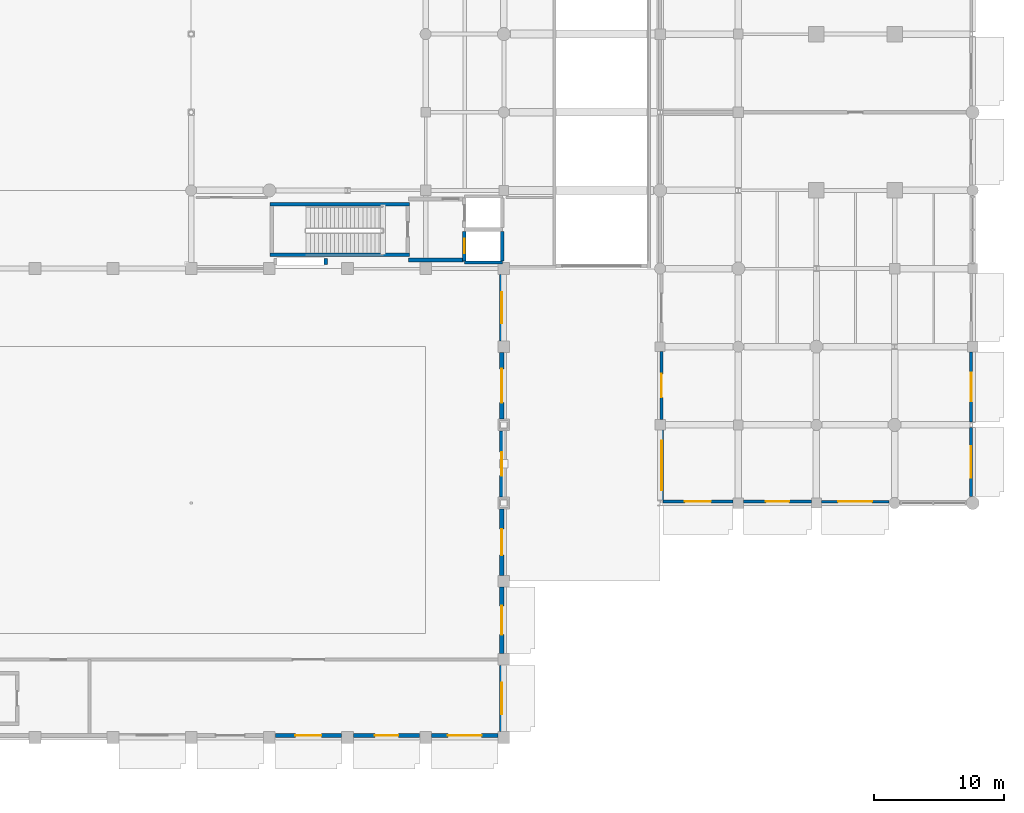
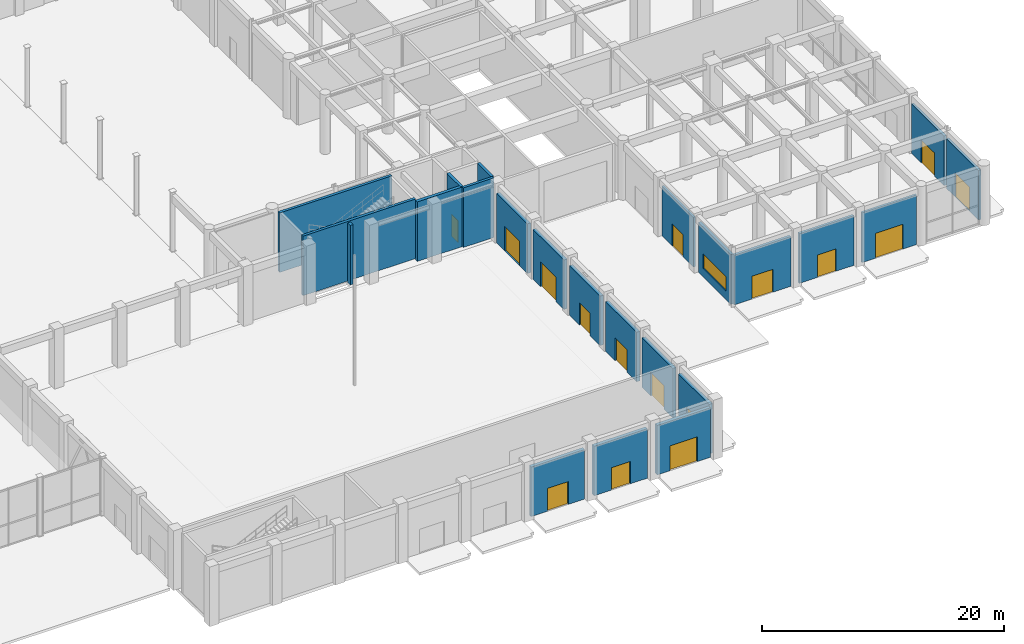
# One storey, part 87 of 106: 23 walls, 16 doors, 1 window, 17 openings.
"""IFC4 building model written with IfcOpenShell, lengths in metres."""

from ifc_helpers import new_model, si_unit, direction, frame, frame_2d, origin, place, context, subcontext, project, spatial, rectangle, extrude, material, layer, layer_set, type_object, element, fill, save


model = new_model("IFC4")

# Units and contexts
model_context = context("Model", 3, precision=1e-05, world=origin(), true_north=direction((0.0, 1.0)))
body_context = subcontext(model_context, "Body", "Model", "MODEL_VIEW")
ifc_project = project(units=[si_unit("LENGTHUNIT", "METRE"), si_unit("AREAUNIT", "SQUARE_METRE"), si_unit("VOLUMEUNIT", "CUBIC_METRE"), si_unit("PLANEANGLEUNIT", "RADIAN"), si_unit("MASSUNIT", "GRAM", prefix="KILO"), si_unit("THERMODYNAMICTEMPERATUREUNIT", "KELVIN"), si_unit("POWERUNIT", "WATT")], contexts=[model_context])

# Site, building, storey
site_placement = place(None, origin())
site = spatial("IfcSite", under=ifc_project, at=site_placement, CompositionType="ELEMENT")
building_placement = place(site_placement, origin())
building = spatial("IfcBuilding", under=site, at=building_placement, Name="Phaisarnlok Congress Hotel", CompositionType="ELEMENT")
storey_placement = place(building_placement, origin())
storey = spatial("IfcBuildingStorey", under=building, at=storey_placement, Name="L00", CompositionType="ELEMENT", Elevation=0.0)

# Wall, opening, door
ifc_material_1 = material(Name="Concrete C40/50", Category="concrete")
ifc_layer_1 = layer(ifc_material_1, 0.2099609375, Name="Concrete C40/50")
ifc_layer_set_1 = layer_set([ifc_layer_1], Name="Concrete C40/50")
wall_type_1 = type_object("IfcWallType", Name="WL-EXT-210", PredefinedType="SOLIDWALL", material=ifc_layer_set_1)
wall_1_placement = place(storey_placement, frame((156.10498046875, 29.6201171875, 0.0), z_axis=(0.0, 0.0, 1.0), x_axis=(0.0, -1.0, 0.0)))
wall_1 = element("IfcWall", 1, at=wall_1_placement, inside=storey, type_object=wall_type_1, Name="Exterior wall EW-07 (L00)", PredefinedType="SOLIDWALL", context=body_context, shape_type="SweptSolid", body=[
    extrude(rectangle(XDim=5.215087890625, YDim=0.2099609375, at=frame_2d((2.607421875, 0.0))), origin(), (0.0, 0.0, 1.0), 5.010009765625),
])
opening_1_placement = place(wall_1_placement, frame((1.70703125, 0.0, 0.0)))
opening_1 = element("IfcOpeningElement", 2, at=opening_1_placement, cuts=wall_1, Name="Opening TD-03", PredefinedType="OPENING", context=body_context, shape_type="SweptSolid", body=[
    extrude(rectangle(XDim=1.800048828125, YDim=2.25, at=frame_2d((0.89990234375, 1.125))), frame((0.0, 0.114990234375, 0.0), z_axis=(0.0, -1.0, 0.0), x_axis=(1.0, 0.0, 0.0)), (0.0, 0.0, 1.0), 0.22998046875),
])
ifc_material_2 = material(Name="Powder-Coated Steel & Laminated Safety Glass", Category="steel")
door_type_1 = type_object("IfcDoorType", Name="DR-EXIT-1800", OperationType="DOUBLE_DOOR_SINGLE_SWING", PredefinedType="DOOR", material=ifc_material_2)
door_1_placement = place(opening_1_placement, frame((1.800048828125, 0.0, 0.0), z_axis=(0.0, 0.0, 1.0), x_axis=(-1.0, 0.0, 0.0)))
door_1 = element("IfcDoor", 3, at=door_1_placement, inside=storey, type_object=door_type_1, Name="Outdoor terrace door TD-03 (L00)", OperationType="SINGLE_SWING_LEFT", OverallHeight=2.25, OverallWidth=1.800048828125, PredefinedType="DOOR", context=body_context, shape_type="SweptSolid", body=[
    extrude(rectangle(XDim=1.800048828125, YDim=2.25, at=frame_2d((0.89990234375, 1.125))), frame((0.0, 0.02490234375, 0.0), z_axis=(0.0, -1.0, 0.0), x_axis=(1.0, 0.0, 0.0)), (0.0, 0.0, 1.0), 0.050048828125),
])
fill(opening_1, door_1)

wall_2_placement = place(storey_placement, frame((168.3798828125, 18.10498046875, 0.0), z_axis=(0.0, 0.0, 1.0), x_axis=(1.0, 0.0, 0.0)))
wall_2 = element("IfcWall", 4, at=wall_2_placement, inside=storey, type_object=wall_type_1, Name="Exterior wall EW-07 (L00)", PredefinedType="SOLIDWALL", context=body_context, shape_type="SweptSolid", body=[
    extrude(rectangle(XDim=5.190185546875, YDim=0.2099609375, at=frame_2d((2.59521484375, 0.0))), origin(), (0.0, 0.0, 1.0), 5.010009765625),
])
opening_2_placement = place(wall_2_placement, frame((1.294921875, 0.0, 0.0)))
opening_2 = element("IfcOpeningElement", 5, at=opening_2_placement, cuts=wall_2, Name="Opening FE-18", PredefinedType="OPENING", context=body_context, shape_type="SweptSolid", body=[
    extrude(rectangle(XDim=2.60009765625, YDim=2.5, at=frame_2d((1.300048828125, 1.25))), frame((0.0, 0.114990234375, 0.0), z_axis=(0.0, -1.0, 0.0), x_axis=(1.0, 0.0, 0.0)), (0.0, 0.0, 1.0), 0.22998046875),
])
door_type_2 = type_object("IfcDoorType", Name="DR-ENTR-2600", OperationType="DOUBLE_DOOR_SLIDING", PredefinedType="DOOR", material=ifc_material_2)
door_2_placement = place(opening_2_placement, frame((2.60009765625, 0.0, 0.0), z_axis=(0.0, 0.0, 1.0), x_axis=(-1.0, 0.0, 0.0)))
door_2 = element("IfcDoor", 6, at=door_2_placement, inside=storey, type_object=door_type_2, Name="Ground final exit door FE-18", OperationType="SINGLE_SWING_LEFT", OverallHeight=2.5, OverallWidth=2.60009765625, PredefinedType="DOOR", context=body_context, shape_type="SweptSolid", body=[
    extrude(rectangle(XDim=2.60009765625, YDim=2.5, at=frame_2d((1.300048828125, 1.25))), frame((0.0, 0.02490234375, 0.0), z_axis=(0.0, -1.0, 0.0), x_axis=(1.0, 0.0, 0.0)), (0.0, 0.0, 1.0), 0.050048828125),
])
fill(opening_2, door_2)

ifc_layer_2 = layer(ifc_material_1, 0.22998046875, Name="Concrete C40/50")
ifc_layer_set_2 = layer_set([ifc_layer_2], Name="Concrete C40/50")
wall_type_2 = type_object("IfcWallType", Name="WL-EXT-230", PredefinedType="SOLIDWALL", material=ifc_layer_set_2)
wall_3_placement = place(storey_placement, frame((162.405029296875, 18.114990234375, 0.0), z_axis=(0.0, 0.0, 1.0), x_axis=(1.0, 0.0, 0.0)))
wall_3 = element("IfcWall", 7, at=wall_3_placement, inside=storey, type_object=wall_type_2, Name="Exterior wall EW-06 (L00)", PredefinedType="SOLIDWALL", context=body_context, shape_type="SweptSolid", body=[
    extrude(rectangle(XDim=5.215087890625, YDim=0.22998046875, at=frame_2d((2.607421875, 0.0))), origin(), (0.0, 0.0, 1.0), 5.010009765625),
])
opening_3_placement = place(wall_3_placement, frame((1.7080078125, 0.0, 0.0)))
opening_3 = element("IfcOpeningElement", 8, at=opening_3_placement, cuts=wall_3, Name="Opening FE-17", PredefinedType="OPENING", context=body_context, shape_type="SweptSolid", body=[
    extrude(rectangle(XDim=1.800048828125, YDim=2.25, at=frame_2d((0.89990234375, 1.125))), frame((0.0, 0.125, 0.0), z_axis=(0.0, -1.0, 0.0), x_axis=(1.0, 0.0, 0.0)), (0.0, 0.0, 1.0), 0.25),
])
door_3_placement = place(opening_3_placement, frame((1.800048828125, 0.0, 0.0), z_axis=(0.0, 0.0, 1.0), x_axis=(-1.0, 0.0, 0.0)))
door_3 = element("IfcDoor", 9, at=door_3_placement, inside=storey, type_object=door_type_1, Name="Ground final exit door FE-17", OperationType="SINGLE_SWING_LEFT", OverallHeight=2.25, OverallWidth=1.800048828125, PredefinedType="DOOR", context=body_context, shape_type="SweptSolid", body=[
    extrude(rectangle(XDim=1.800048828125, YDim=2.25, at=frame_2d((0.89990234375, 1.125))), frame((0.0, 0.02490234375, 0.0), z_axis=(0.0, -1.0, 0.0), x_axis=(1.0, 0.0, 0.0)), (0.0, 0.0, 1.0), 0.050048828125),
])
fill(opening_3, door_3)

wall_4_placement = place(storey_placement, frame((179.885009765625, 24.20458984375, 0.0), z_axis=(0.0, 0.0, 1.0), x_axis=(0.0, 1.0, 0.0)))
wall_4 = element("IfcWall", 10, at=wall_4_placement, inside=storey, type_object=wall_type_2, Name="Exterior wall EW-06 (L00)", PredefinedType="SOLIDWALL", context=body_context, shape_type="SweptSolid", body=[
    extrude(rectangle(XDim=5.390380859375, YDim=0.22998046875, at=frame_2d((2.6953125, 0.0))), origin(), (0.0, 0.0, 1.0), 5.010009765625),
])
opening_4_placement = place(wall_4_placement, frame((1.594970703125, 0.0, 0.0)))
opening_4 = element("IfcOpeningElement", 11, at=opening_4_placement, cuts=wall_4, Name="Opening FE-20", PredefinedType="OPENING", context=body_context, shape_type="SweptSolid", body=[
    extrude(rectangle(XDim=2.199951171875, YDim=2.35009765625, at=frame_2d((1.10009765625, 1.175048828125))), frame((0.0, 0.125, 0.0), z_axis=(0.0, -1.0, 0.0), x_axis=(1.0, 0.0, 0.0)), (0.0, 0.0, 1.0), 0.25),
])
door_type_3 = type_object("IfcDoorType", Name="DR-EXIT-2200", OperationType="DOUBLE_DOOR_SINGLE_SWING", PredefinedType="DOOR", material=ifc_material_2)
door_4_placement = place(opening_4_placement, frame((2.199951171875, 0.0, 0.0), z_axis=(0.0, 0.0, 1.0), x_axis=(-1.0, 0.0, 0.0)))
door_4 = element("IfcDoor", 12, at=door_4_placement, inside=storey, type_object=door_type_3, Name="Ground final exit door FE-20", OperationType="SINGLE_SWING_LEFT", OverallHeight=2.35009765625, OverallWidth=2.199951171875, PredefinedType="DOOR", context=body_context, shape_type="SweptSolid", body=[
    extrude(rectangle(XDim=2.199951171875, YDim=2.35009765625, at=frame_2d((1.10009765625, 1.175048828125))), frame((0.0, 0.02490234375, 0.0), z_axis=(0.0, -1.0, 0.0), x_axis=(1.0, 0.0, 0.0)), (0.0, 0.0, 1.0), 0.050048828125),
])
fill(opening_4, door_4)

ifc_layer_3 = layer(ifc_material_1, 0.25, Name="Concrete C40/50")
ifc_layer_set_3 = layer_set([ifc_layer_3], Name="Concrete C40/50")
wall_type_3 = type_object("IfcWallType", Name="WL-EXT-250", PredefinedType="SOLIDWALL", material=ifc_layer_set_3)
wall_5_placement = place(storey_placement, frame((156.20556640625, 18.125, 0.0), z_axis=(0.0, 0.0, 1.0), x_axis=(1.0, 0.0, 0.0)))
wall_5 = element("IfcWall", 13, at=wall_5_placement, inside=storey, type_object=wall_type_3, Name="Exterior wall EW-05 (L00)", PredefinedType="SOLIDWALL", context=body_context, shape_type="SweptSolid", body=[
    extrude(rectangle(XDim=5.389404296875, YDim=0.25, at=frame_2d((2.69482421875, 0.0))), origin(), (0.0, 0.0, 1.0), 5.010009765625),
])
opening_5_placement = place(wall_5_placement, frame((1.695068359375, 0.0, 0.0)))
opening_5 = element("IfcOpeningElement", 14, at=opening_5_placement, cuts=wall_5, Name="Opening FE-16", PredefinedType="OPENING", context=body_context, shape_type="SweptSolid", body=[
    extrude(rectangle(XDim=2.0, YDim=2.300048828125, at=frame_2d((1.0, 1.14990234375))), frame((0.0, 0.135009765625, 0.0), z_axis=(0.0, -1.0, 0.0), x_axis=(1.0, 0.0, 0.0)), (0.0, 0.0, 1.0), 0.27001953125),
])
door_type_4 = type_object("IfcDoorType", Name="DR-EXIT-2000", OperationType="DOUBLE_DOOR_SINGLE_SWING", PredefinedType="DOOR", material=ifc_material_2)
door_5_placement = place(opening_5_placement, frame((2.0, 0.0, 0.0), z_axis=(0.0, 0.0, 1.0), x_axis=(-1.0, 0.0, 0.0)))
door_5 = element("IfcDoor", 15, at=door_5_placement, inside=storey, type_object=door_type_4, Name="Ground final exit door FE-16", OperationType="SINGLE_SWING_LEFT", OverallHeight=2.300048828125, OverallWidth=2.0, PredefinedType="DOOR", context=body_context, shape_type="SweptSolid", body=[
    extrude(rectangle(XDim=2.0, YDim=2.300048828125, at=frame_2d((1.0, 1.14990234375))), frame((0.0, 0.02490234375, 0.0), z_axis=(0.0, -1.0, 0.0), x_axis=(1.0, 0.0, 0.0)), (0.0, 0.0, 1.0), 0.050048828125),
])
fill(opening_5, door_5)

wall_6_placement = place(storey_placement, frame((179.875, 18.5048828125, 0.0), z_axis=(0.0, 0.0, 1.0), x_axis=(0.0, 1.0, 0.0)))
wall_6 = element("IfcWall", 16, at=wall_6_placement, inside=storey, type_object=wall_type_3, Name="Exterior wall EW-05 (L00)", PredefinedType="SOLIDWALL", context=body_context, shape_type="SweptSolid", body=[
    extrude(rectangle(XDim=5.29052734375, YDim=0.25, at=frame_2d((2.645263671875, 0.0))), origin(), (0.0, 0.0, 1.0), 5.010009765625),
])
opening_6_placement = place(wall_6_placement, frame((1.445068359375, 0.0, 0.0)))
opening_6 = element("IfcOpeningElement", 17, at=opening_6_placement, cuts=wall_6, Name="Opening FE-19", PredefinedType="OPENING", context=body_context, shape_type="SweptSolid", body=[
    extrude(rectangle(XDim=2.39990234375, YDim=2.449951171875, at=frame_2d((1.199951171875, 1.22509765625))), frame((0.0, 0.135009765625, 0.0), z_axis=(0.0, -1.0, 0.0), x_axis=(1.0, 0.0, 0.0)), (0.0, 0.0, 1.0), 0.27001953125),
])
door_type_5 = type_object("IfcDoorType", Name="DR-ENTR-2400", OperationType="DOUBLE_DOOR_SLIDING", PredefinedType="DOOR", material=ifc_material_2)
door_6_placement = place(opening_6_placement, frame((2.39990234375, 0.0, 0.0), z_axis=(0.0, 0.0, 1.0), x_axis=(-1.0, 0.0, 0.0)))
door_6 = element("IfcDoor", 18, at=door_6_placement, inside=storey, type_object=door_type_5, Name="Ground final exit door FE-19", OperationType="SINGLE_SWING_LEFT", OverallHeight=2.449951171875, OverallWidth=2.39990234375, PredefinedType="DOOR", context=body_context, shape_type="SweptSolid", body=[
    extrude(rectangle(XDim=2.39990234375, YDim=2.449951171875, at=frame_2d((1.199951171875, 1.22509765625))), frame((0.0, 0.02490234375, 0.0), z_axis=(0.0, -1.0, 0.0), x_axis=(1.0, 0.0, 0.0)), (0.0, 0.0, 1.0), 0.050048828125),
])
fill(opening_6, door_6)

# Wall, opening, window
ifc_layer_4 = layer(ifc_material_1, 0.27001953125, Name="Concrete C40/50")
ifc_layer_set_4 = layer_set([ifc_layer_4], Name="Concrete C40/50")
wall_type_4 = type_object("IfcWallType", Name="WL-EXT-270", PredefinedType="SOLIDWALL", material=ifc_layer_set_4)
wall_7_placement = place(storey_placement, frame((156.135009765625, 23.594970703125, 0.0), z_axis=(0.0, 0.0, 1.0), x_axis=(0.0, -1.0, 0.0)))
wall_7 = element("IfcWall", 19, at=wall_7_placement, inside=storey, type_object=wall_type_4, Name="Exterior wall EW-04 (L00)", PredefinedType="SOLIDWALL", context=body_context, shape_type="SweptSolid", body=[
    extrude(rectangle(XDim=5.390380859375, YDim=0.27001953125, at=frame_2d((2.6953125, 0.0))), origin(), (0.0, 0.0, 1.0), 5.010009765625),
])
opening_7_placement = place(wall_7_placement, frame((0.794921875, 0.0, 0.85009765625)))
opening_7 = element("IfcOpeningElement", 20, at=opening_7_placement, cuts=wall_7, Name="Opening W-17", PredefinedType="OPENING", context=body_context, shape_type="SweptSolid", body=[
    extrude(rectangle(XDim=3.800048828125, YDim=1.449951171875, at=frame_2d((1.89990234375, 0.72509765625))), frame((0.0, 0.14501953125, 0.0), z_axis=(0.0, -1.0, 0.0), x_axis=(1.0, 0.0, 0.0)), (0.0, 0.0, 1.0), 0.2900390625),
])
ifc_material_3 = material(Name="Thermally Broken Aluminium & Low-E Double Glazing", Category="aluminium")
window_type = type_object("IfcWindowType", Name="WIN-RIB-3800", PartitioningType="SINGLE_PANEL", PredefinedType="WINDOW", material=ifc_material_3)
window_placement = place(opening_7_placement, origin())
window = element("IfcWindow", 21, at=window_placement, inside=storey, type_object=window_type, Name="Podium window W-17 (L00)", OverallHeight=1.449951171875, OverallWidth=3.800048828125, PartitioningType="SINGLE_PANEL", PredefinedType="WINDOW", context=body_context, shape_type="SweptSolid", body=[
    extrude(rectangle(XDim=3.800048828125, YDim=1.449951171875, at=frame_2d((1.89990234375, 0.72509765625))), frame((0.0, 0.030029296875, 0.0), z_axis=(0.0, -1.0, 0.0), x_axis=(1.0, 0.0, 0.0)), (0.0, 0.0, 1.0), 0.06005859375),
])
fill(opening_7, window)

# Wall, opening, door
ifc_layer_5 = layer(ifc_material_1, 0.320068359375, Name="Concrete C40/50")
ifc_layer_set_5 = layer_set([ifc_layer_5], Name="Concrete C40/50")
wall_type_5 = type_object("IfcWallType", Name="WL-EXT-320", PredefinedType="SOLIDWALL", material=ifc_layer_set_5)
wall_8_placement = place(storey_placement, frame((126.455078125, 0.159912109375, 0.0), z_axis=(0.0, 0.0, 1.0), x_axis=(1.0, 0.0, 0.0)))
wall_8 = element("IfcWall", 22, at=wall_8_placement, inside=storey, type_object=wall_type_5, Name="Exterior wall EW-02 (L00)", PredefinedType="SOLIDWALL", context=body_context, shape_type="SweptSolid", body=[
    extrude(rectangle(XDim=5.08984375, YDim=0.320068359375, at=frame_2d((2.544921875, 0.0))), origin(), (0.0, 0.0, 1.0), 4.989990234375),
])
opening_8_placement = place(wall_8_placement, frame((1.544921875, 0.0, 0.0)))
opening_8 = element("IfcOpeningElement", 23, at=opening_8_placement, cuts=wall_8, Name="Opening FE-06", PredefinedType="OPENING", context=body_context, shape_type="SweptSolid", body=[
    extrude(rectangle(XDim=2.0, YDim=2.300048828125, at=frame_2d((1.0, 1.14990234375))), frame((0.0, 0.169921875, 0.0), z_axis=(0.0, -1.0, 0.0), x_axis=(1.0, 0.0, 0.0)), (0.0, 0.0, 1.0), 0.340087890625),
])
door_7_placement = place(opening_8_placement, frame((2.0, 0.0, 0.0), z_axis=(0.0, 0.0, 1.0), x_axis=(-1.0, 0.0, 0.0)))
door_7 = element("IfcDoor", 24, at=door_7_placement, inside=storey, type_object=door_type_4, Name="Ground final exit door FE-06", OperationType="SINGLE_SWING_LEFT", OverallHeight=2.300048828125, OverallWidth=2.0, PredefinedType="DOOR", context=body_context, shape_type="SweptSolid", body=[
    extrude(rectangle(XDim=2.0, YDim=2.300048828125, at=frame_2d((1.0, 1.14990234375))), frame((0.0, 0.02490234375, 0.0), z_axis=(0.0, -1.0, 0.0), x_axis=(1.0, 0.0, 0.0)), (0.0, 0.0, 1.0), 0.050048828125),
])
fill(opening_8, door_7)

wall_9_placement = place(storey_placement, frame((132.455078125, 0.159912109375, 0.0), z_axis=(0.0, 0.0, 1.0), x_axis=(1.0, 0.0, 0.0)))
wall_9 = element("IfcWall", 25, at=wall_9_placement, inside=storey, type_object=wall_type_5, Name="Exterior wall EW-02 (L00)", PredefinedType="SOLIDWALL", context=body_context, shape_type="SweptSolid", body=[
    extrude(rectangle(XDim=5.08984375, YDim=0.320068359375, at=frame_2d((2.544921875, 0.0))), origin(), (0.0, 0.0, 1.0), 4.989990234375),
])
opening_9_placement = place(wall_9_placement, frame((1.64501953125, 0.0, 0.0)))
opening_9 = element("IfcOpeningElement", 26, at=opening_9_placement, cuts=wall_9, Name="Opening FE-07", PredefinedType="OPENING", context=body_context, shape_type="SweptSolid", body=[
    extrude(rectangle(XDim=1.800048828125, YDim=2.25, at=frame_2d((0.89990234375, 1.125))), frame((0.0, 0.169921875, 0.0), z_axis=(0.0, -1.0, 0.0), x_axis=(1.0, 0.0, 0.0)), (0.0, 0.0, 1.0), 0.340087890625),
])
door_8_placement = place(opening_9_placement, frame((1.800048828125, 0.0, 0.0), z_axis=(0.0, 0.0, 1.0), x_axis=(-1.0, 0.0, 0.0)))
door_8 = element("IfcDoor", 27, at=door_8_placement, inside=storey, type_object=door_type_1, Name="Ground final exit door FE-07", OperationType="SINGLE_SWING_LEFT", OverallHeight=2.25, OverallWidth=1.800048828125, PredefinedType="DOOR", context=body_context, shape_type="SweptSolid", body=[
    extrude(rectangle(XDim=1.800048828125, YDim=2.25, at=frame_2d((0.89990234375, 1.125))), frame((0.0, 0.02490234375, 0.0), z_axis=(0.0, -1.0, 0.0), x_axis=(1.0, 0.0, 0.0)), (0.0, 0.0, 1.0), 0.050048828125),
])
fill(opening_9, door_8)

wall_10_placement = place(storey_placement, frame((138.455078125, 0.159912109375, 0.0), z_axis=(0.0, 0.0, 1.0), x_axis=(1.0, 0.0, 0.0)))
wall_10 = element("IfcWall", 28, at=wall_10_placement, inside=storey, type_object=wall_type_5, Name="Exterior wall EW-02 (L00)", PredefinedType="SOLIDWALL", context=body_context, shape_type="SweptSolid", body=[
    extrude(rectangle(XDim=5.08984375, YDim=0.320068359375, at=frame_2d((2.544921875, 0.0))), origin(), (0.0, 0.0, 1.0), 4.989990234375),
])
opening_10_placement = place(wall_10_placement, frame((1.2451171875, 0.0, 0.0)))
opening_10 = element("IfcOpeningElement", 29, at=opening_10_placement, cuts=wall_10, Name="Opening FE-08", PredefinedType="OPENING", context=body_context, shape_type="SweptSolid", body=[
    extrude(rectangle(XDim=2.60009765625, YDim=2.5, at=frame_2d((1.300048828125, 1.25))), frame((0.0, 0.169921875, 0.0), z_axis=(0.0, -1.0, 0.0), x_axis=(1.0, 0.0, 0.0)), (0.0, 0.0, 1.0), 0.340087890625),
])
door_9_placement = place(opening_10_placement, frame((2.60009765625, 0.0, 0.0), z_axis=(0.0, 0.0, 1.0), x_axis=(-1.0, 0.0, 0.0)))
door_9 = element("IfcDoor", 30, at=door_9_placement, inside=storey, type_object=door_type_2, Name="Ground final exit door FE-08", OperationType="SINGLE_SWING_LEFT", OverallHeight=2.5, OverallWidth=2.60009765625, PredefinedType="DOOR", context=body_context, shape_type="SweptSolid", body=[
    extrude(rectangle(XDim=2.60009765625, YDim=2.5, at=frame_2d((1.300048828125, 1.25))), frame((0.0, 0.02490234375, 0.0), z_axis=(0.0, -1.0, 0.0), x_axis=(1.0, 0.0, 0.0)), (0.0, 0.0, 1.0), 0.050048828125),
])
fill(opening_10, door_9)

wall_11_placement = place(storey_placement, frame((143.840087890625, 0.455078125, 0.0), z_axis=(0.0, 0.0, 1.0), x_axis=(0.0, 1.0, 0.0)))
wall_11 = element("IfcWall", 31, at=wall_11_placement, inside=storey, type_object=wall_type_5, Name="Exterior wall EW-02 (L00)", PredefinedType="SOLIDWALL", context=body_context, shape_type="SweptSolid", body=[
    extrude(rectangle(XDim=5.08984375, YDim=0.320068359375, at=frame_2d((2.544921875, 0.0))), origin(), (0.0, 0.0, 1.0), 4.989990234375),
])
opening_11_placement = place(wall_11_placement, frame((1.344970703125, 0.0, 0.0)))
opening_11 = element("IfcOpeningElement", 32, at=opening_11_placement, cuts=wall_11, Name="Opening FE-09", PredefinedType="OPENING", context=body_context, shape_type="SweptSolid", body=[
    extrude(rectangle(XDim=2.39990234375, YDim=2.449951171875, at=frame_2d((1.199951171875, 1.22509765625))), frame((0.0, 0.169921875, 0.0), z_axis=(0.0, -1.0, 0.0), x_axis=(1.0, 0.0, 0.0)), (0.0, 0.0, 1.0), 0.340087890625),
])
door_10_placement = place(opening_11_placement, frame((2.39990234375, 0.0, 0.0), z_axis=(0.0, 0.0, 1.0), x_axis=(-1.0, 0.0, 0.0)))
door_10 = element("IfcDoor", 33, at=door_10_placement, inside=storey, type_object=door_type_5, Name="Ground final exit door FE-09", OperationType="SINGLE_SWING_LEFT", OverallHeight=2.449951171875, OverallWidth=2.39990234375, PredefinedType="DOOR", context=body_context, shape_type="SweptSolid", body=[
    extrude(rectangle(XDim=2.39990234375, YDim=2.449951171875, at=frame_2d((1.199951171875, 1.22509765625))), frame((0.0, 0.02490234375, 0.0), z_axis=(0.0, -1.0, 0.0), x_axis=(1.0, 0.0, 0.0)), (0.0, 0.0, 1.0), 0.050048828125),
])
fill(opening_11, door_10)

wall_12_placement = place(storey_placement, frame((143.840087890625, 6.455078125, 0.0), z_axis=(0.0, 0.0, 1.0), x_axis=(0.0, 1.0, 0.0)))
wall_12 = element("IfcWall", 34, at=wall_12_placement, inside=storey, type_object=wall_type_5, Name="Exterior wall EW-02 (L00)", PredefinedType="SOLIDWALL", context=body_context, shape_type="SweptSolid", body=[
    extrude(rectangle(XDim=5.08984375, YDim=0.320068359375, at=frame_2d((2.544921875, 0.0))), origin(), (0.0, 0.0, 1.0), 4.989990234375),
])
opening_12_placement = place(wall_12_placement, frame((1.445068359375, 0.0, 0.0)))
opening_12 = element("IfcOpeningElement", 35, at=opening_12_placement, cuts=wall_12, Name="Opening FE-10", PredefinedType="OPENING", context=body_context, shape_type="SweptSolid", body=[
    extrude(rectangle(XDim=2.199951171875, YDim=2.35009765625, at=frame_2d((1.10009765625, 1.175048828125))), frame((0.0, 0.169921875, 0.0), z_axis=(0.0, -1.0, 0.0), x_axis=(1.0, 0.0, 0.0)), (0.0, 0.0, 1.0), 0.340087890625),
])
door_11_placement = place(opening_12_placement, frame((2.199951171875, 0.0, 0.0), z_axis=(0.0, 0.0, 1.0), x_axis=(-1.0, 0.0, 0.0)))
door_11 = element("IfcDoor", 36, at=door_11_placement, inside=storey, type_object=door_type_3, Name="Ground final exit door FE-10", OperationType="SINGLE_SWING_LEFT", OverallHeight=2.35009765625, OverallWidth=2.199951171875, PredefinedType="DOOR", context=body_context, shape_type="SweptSolid", body=[
    extrude(rectangle(XDim=2.199951171875, YDim=2.35009765625, at=frame_2d((1.10009765625, 1.175048828125))), frame((0.0, 0.02490234375, 0.0), z_axis=(0.0, -1.0, 0.0), x_axis=(1.0, 0.0, 0.0)), (0.0, 0.0, 1.0), 0.050048828125),
])
fill(opening_12, door_11)

wall_13_placement = place(storey_placement, frame((143.840087890625, 12.455078125, 0.0), z_axis=(0.0, 0.0, 1.0), x_axis=(0.0, 1.0, 0.0)))
wall_13 = element("IfcWall", 37, at=wall_13_placement, inside=storey, type_object=wall_type_5, Name="Exterior wall EW-02 (L00)", PredefinedType="SOLIDWALL", context=body_context, shape_type="SweptSolid", body=[
    extrude(rectangle(XDim=5.08984375, YDim=0.320068359375, at=frame_2d((2.544921875, 0.0))), origin(), (0.0, 0.0, 1.0), 4.989990234375),
])
opening_13_placement = place(wall_13_placement, frame((1.544921875, 0.0, 0.0)))
opening_13 = element("IfcOpeningElement", 38, at=opening_13_placement, cuts=wall_13, Name="Opening FE-11", PredefinedType="OPENING", context=body_context, shape_type="SweptSolid", body=[
    extrude(rectangle(XDim=2.0, YDim=2.300048828125, at=frame_2d((1.0, 1.14990234375))), frame((0.0, 0.169921875, 0.0), z_axis=(0.0, -1.0, 0.0), x_axis=(1.0, 0.0, 0.0)), (0.0, 0.0, 1.0), 0.340087890625),
])
door_12_placement = place(opening_13_placement, frame((2.0, 0.0, 0.0), z_axis=(0.0, 0.0, 1.0), x_axis=(-1.0, 0.0, 0.0)))
door_12 = element("IfcDoor", 39, at=door_12_placement, inside=storey, type_object=door_type_4, Name="Ground final exit door FE-11", OperationType="SINGLE_SWING_LEFT", OverallHeight=2.300048828125, OverallWidth=2.0, PredefinedType="DOOR", context=body_context, shape_type="SweptSolid", body=[
    extrude(rectangle(XDim=2.0, YDim=2.300048828125, at=frame_2d((1.0, 1.14990234375))), frame((0.0, 0.02490234375, 0.0), z_axis=(0.0, -1.0, 0.0), x_axis=(1.0, 0.0, 0.0)), (0.0, 0.0, 1.0), 0.050048828125),
])
fill(opening_13, door_12)

wall_14_placement = place(storey_placement, frame((143.840087890625, 18.455078125, 0.0), z_axis=(0.0, 0.0, 1.0), x_axis=(0.0, 1.0, 0.0)))
wall_14 = element("IfcWall", 40, at=wall_14_placement, inside=storey, type_object=wall_type_5, Name="Exterior wall EW-02 (L00)", PredefinedType="SOLIDWALL", context=body_context, shape_type="SweptSolid", body=[
    extrude(rectangle(XDim=5.08984375, YDim=0.320068359375, at=frame_2d((2.544921875, 0.0))), origin(), (0.0, 0.0, 1.0), 4.989990234375),
])
opening_14_placement = place(wall_14_placement, frame((1.64501953125, 0.0, 0.0)))
opening_14 = element("IfcOpeningElement", 41, at=opening_14_placement, cuts=wall_14, Name="Opening FE-12", PredefinedType="OPENING", context=body_context, shape_type="SweptSolid", body=[
    extrude(rectangle(XDim=1.800048828125, YDim=2.25, at=frame_2d((0.89990234375, 1.125))), frame((0.0, 0.169921875, 0.0), z_axis=(0.0, -1.0, 0.0), x_axis=(1.0, 0.0, 0.0)), (0.0, 0.0, 1.0), 0.340087890625),
])
door_13_placement = place(opening_14_placement, frame((1.800048828125, 0.0, 0.0), z_axis=(0.0, 0.0, 1.0), x_axis=(-1.0, 0.0, 0.0)))
door_13 = element("IfcDoor", 42, at=door_13_placement, inside=storey, type_object=door_type_1, Name="Ground final exit door FE-12", OperationType="SINGLE_SWING_LEFT", OverallHeight=2.25, OverallWidth=1.800048828125, PredefinedType="DOOR", context=body_context, shape_type="SweptSolid", body=[
    extrude(rectangle(XDim=1.800048828125, YDim=2.25, at=frame_2d((0.89990234375, 1.125))), frame((0.0, 0.02490234375, 0.0), z_axis=(0.0, -1.0, 0.0), x_axis=(1.0, 0.0, 0.0)), (0.0, 0.0, 1.0), 0.050048828125),
])
fill(opening_14, door_13)

wall_15_placement = place(storey_placement, frame((143.840087890625, 24.455078125, 0.0), z_axis=(0.0, 0.0, 1.0), x_axis=(0.0, 1.0, 0.0)))
wall_15 = element("IfcWall", 43, at=wall_15_placement, inside=storey, type_object=wall_type_5, Name="Exterior wall EW-02 (L00)", PredefinedType="SOLIDWALL", context=body_context, shape_type="SweptSolid", body=[
    extrude(rectangle(XDim=5.08984375, YDim=0.320068359375, at=frame_2d((2.544921875, 0.0))), origin(), (0.0, 0.0, 1.0), 4.989990234375),
])
opening_15_placement = place(wall_15_placement, frame((1.2451171875, 0.0, 0.0)))
opening_15 = element("IfcOpeningElement", 44, at=opening_15_placement, cuts=wall_15, Name="Opening FE-13", PredefinedType="OPENING", context=body_context, shape_type="SweptSolid", body=[
    extrude(rectangle(XDim=2.60009765625, YDim=2.5, at=frame_2d((1.300048828125, 1.25))), frame((0.0, 0.169921875, 0.0), z_axis=(0.0, -1.0, 0.0), x_axis=(1.0, 0.0, 0.0)), (0.0, 0.0, 1.0), 0.340087890625),
])
door_14_placement = place(opening_15_placement, frame((2.60009765625, 0.0, 0.0), z_axis=(0.0, 0.0, 1.0), x_axis=(-1.0, 0.0, 0.0)))
door_14 = element("IfcDoor", 45, at=door_14_placement, inside=storey, type_object=door_type_2, Name="Ground final exit door FE-13", OperationType="SINGLE_SWING_LEFT", OverallHeight=2.5, OverallWidth=2.60009765625, PredefinedType="DOOR", context=body_context, shape_type="SweptSolid", body=[
    extrude(rectangle(XDim=2.60009765625, YDim=2.5, at=frame_2d((1.300048828125, 1.25))), frame((0.0, 0.02490234375, 0.0), z_axis=(0.0, -1.0, 0.0), x_axis=(1.0, 0.0, 0.0)), (0.0, 0.0, 1.0), 0.050048828125),
])
fill(opening_15, door_14)

wall_16_placement = place(storey_placement, frame((143.840087890625, 30.455078125, 0.0), z_axis=(0.0, 0.0, 1.0), x_axis=(0.0, 1.0, 0.0)))
wall_16 = element("IfcWall", 46, at=wall_16_placement, inside=storey, type_object=wall_type_5, Name="Exterior wall EW-02 (L00)", PredefinedType="SOLIDWALL", context=body_context, shape_type="SweptSolid", body=[
    extrude(rectangle(XDim=5.08984375, YDim=0.320068359375, at=frame_2d((2.544921875, 0.0))), origin(), (0.0, 0.0, 1.0), 4.989990234375),
])
opening_16_placement = place(wall_16_placement, frame((1.344970703125, 0.0, 0.0)))
opening_16 = element("IfcOpeningElement", 47, at=opening_16_placement, cuts=wall_16, Name="Opening FE-14", PredefinedType="OPENING", context=body_context, shape_type="SweptSolid", body=[
    extrude(rectangle(XDim=2.39990234375, YDim=2.449951171875, at=frame_2d((1.199951171875, 1.22509765625))), frame((0.0, 0.169921875, 0.0), z_axis=(0.0, -1.0, 0.0), x_axis=(1.0, 0.0, 0.0)), (0.0, 0.0, 1.0), 0.340087890625),
])
door_15_placement = place(opening_16_placement, frame((2.39990234375, 0.0, 0.0), z_axis=(0.0, 0.0, 1.0), x_axis=(-1.0, 0.0, 0.0)))
door_15 = element("IfcDoor", 48, at=door_15_placement, inside=storey, type_object=door_type_5, Name="Ground final exit door FE-14", OperationType="SINGLE_SWING_LEFT", OverallHeight=2.449951171875, OverallWidth=2.39990234375, PredefinedType="DOOR", context=body_context, shape_type="SweptSolid", body=[
    extrude(rectangle(XDim=2.39990234375, YDim=2.449951171875, at=frame_2d((1.199951171875, 1.22509765625))), frame((0.0, 0.02490234375, 0.0), z_axis=(0.0, -1.0, 0.0), x_axis=(1.0, 0.0, 0.0)), (0.0, 0.0, 1.0), 0.050048828125),
])
fill(opening_16, door_15)

# Walls
ifc_material_4 = material(Name="Concrete C50/60", Category="concrete")
ifc_layer_6 = layer(ifc_material_4, 0.260009765625, Name="Concrete C50/60")
ifc_layer_set_6 = layer_set([ifc_layer_6], Name="Concrete C50/60")
wall_type_6 = type_object("IfcWallType", Name="WL-SHR-260", PredefinedType="SHEAR", material=ifc_layer_set_6)
for number, where, z_axis, x_axis, name in (
    (49, (126.0400390625, 37.070068359375, 0.0), (0.0, 0.0, 1.0), (1.0, 0.0, 0.0), "Stair shaft shear wall SW-04 (CORE-6 L00)"),
    (50, (126.0400390625, 40.929931640625, 0.0), (0.0, 0.0, 1.0), (1.0, 0.0, 0.0), "Stair shaft shear wall SW-04 (CORE-6 L00)"),
):
    element("IfcWall", number, at=place(storey_placement, frame(where, z_axis=z_axis, x_axis=x_axis)), inside=storey, type_object=wall_type_6, Name=name, PredefinedType="SHEAR", context=body_context, shape_type="SweptSolid", body=[
        extrude(rectangle(XDim=10.719970703125, YDim=0.260009765625, at=frame_2d((5.35986328125, 0.0))), origin(), (0.0, 0.0, 1.0), 6.0),
    ])
wall_17_placement = place(storey_placement, frame((140.969970703125, 36.469970703125, 0.0), z_axis=(0.0, 0.0, 1.0), x_axis=(1.0, 0.0, 0.0)))
element("IfcWall", 51, at=wall_17_placement, inside=storey, type_object=wall_type_6, Name="Lift shaft shear wall SW-04 (LF-CP2 L00)", PredefinedType="SHEAR", context=body_context, shape_type="SweptSolid", body=[
    extrude(rectangle(XDim=2.909912109375, YDim=0.260009765625, at=frame_2d((1.455078125, 0.0))), origin(), (0.0, 0.0, 1.0), 6.0),
])
wall_18_placement = place(storey_placement, frame((143.8798828125, 36.60009765625, 0.0), z_axis=(0.0, 0.0, 1.0), x_axis=(0.0, 1.0, 0.0)))
element("IfcWall", 52, at=wall_18_placement, inside=storey, type_object=wall_type_6, Name="Lift shaft shear wall SW-04 (LF-CP2 L00)", PredefinedType="SHEAR", context=body_context, shape_type="SweptSolid", body=[
    extrude(rectangle(XDim=2.25, YDim=0.260009765625, at=frame_2d((1.125, 0.0))), origin(), (0.0, 0.0, 1.0), 6.0),
])

# Wall, opening, door
wall_19_placement = place(storey_placement, frame((140.969970703125, 36.60009765625, 0.0), z_axis=(0.0, 0.0, 1.0), x_axis=(0.0, 1.0, 0.0)))
wall_19 = element("IfcWall", 53, at=wall_19_placement, inside=storey, type_object=wall_type_6, Name="Lift shaft front wall SW-04 (LF-CP2 L00)", PredefinedType="SHEAR", context=body_context, shape_type="SweptSolid", body=[
    extrude(rectangle(XDim=2.25, YDim=0.260009765625, at=frame_2d((1.125, 0.0))), origin(), (0.0, 0.0, 1.0), 6.0),
])
opening_17_placement = place(wall_19_placement, frame((0.574951171875, 0.0, 0.0)))
opening_17 = element("IfcOpeningElement", 54, at=opening_17_placement, cuts=wall_19, Name="Opening LD-119", PredefinedType="OPENING", context=body_context, shape_type="SweptSolid", body=[
    extrude(rectangle(XDim=1.10009765625, YDim=2.199951171875, at=frame_2d((0.550048828125, 1.10009765625))), frame((0.0, 0.14013671875, 0.0), z_axis=(0.0, -1.0, 0.0), x_axis=(1.0, 0.0, 0.0)), (0.0, 0.0, 1.0), 0.280029296875),
])
ifc_material_5 = material(Name="Brushed Stainless Steel Grade 304", Category="steel")
door_type_6 = type_object("IfcDoorType", Name="DR-LD-1100", OperationType="DOUBLE_DOOR_SLIDING", PredefinedType="DOOR", material=ifc_material_5)
door_16_placement = place(opening_17_placement, origin())
door_16 = element("IfcDoor", 55, at=door_16_placement, inside=storey, type_object=door_type_6, Name="Lift landing sliding door LD-119 (LF-CP2 L00)", OperationType="DOUBLE_DOOR_SLIDING", OverallHeight=2.199951171875, OverallWidth=1.10009765625, PredefinedType="DOOR", context=body_context, shape_type="SweptSolid", body=[
    extrude(rectangle(XDim=1.10009765625, YDim=2.199951171875, at=frame_2d((0.550048828125, 1.10009765625))), frame((0.0, 0.02490234375, 0.0), z_axis=(0.0, -1.0, 0.0), x_axis=(1.0, 0.0, 0.0)), (0.0, 0.0, 1.0), 0.050048828125),
])
fill(opening_17, door_16)

# Walls
wall_20_placement = place(storey_placement, frame((130.330078125, 36.330078125, 0.0), z_axis=(0.0, 0.0, 1.0), x_axis=(0.0, 1.0, 0.0)))
element("IfcWall", 56, at=wall_20_placement, inside=storey, type_object=wall_type_6, Name="Service riser shaft wall SW-04 (CORE-6 L00)", PredefinedType="SHEAR", context=body_context, shape_type="SweptSolid", body=[
    extrude(rectangle(XDim=0.43994140625, YDim=0.260009765625, at=frame_2d((0.219970703125, 0.0))), origin(), (0.0, 0.0, 1.0), 6.0),
])
ifc_layer_7 = layer(ifc_material_4, 0.300048828125, Name="Concrete C50/60")
ifc_layer_set_7 = layer_set([ifc_layer_7], Name="Concrete C50/60")
wall_type_7 = type_object("IfcWallType", Name="WL-SHR-300", PredefinedType="SHEAR", material=ifc_layer_set_7)
wall_21_placement = place(storey_placement, frame((136.679931640625, 36.64990234375, 0.0), z_axis=(0.0, 0.0, 1.0), x_axis=(1.0, 0.0, 0.0)))
element("IfcWall", 57, at=wall_21_placement, inside=storey, type_object=wall_type_7, Name="Core lobby EI-120 wall SW-03 (CORE-6 L00)", PredefinedType="SHEAR", context=body_context, shape_type="SweptSolid", body=[
    extrude(rectangle(XDim=4.239990234375, YDim=0.300048828125, at=frame_2d((2.1201171875, 0.0))), origin(), (0.0, 0.0, 1.0), 6.0),
])

save(model, "model.ifc")
